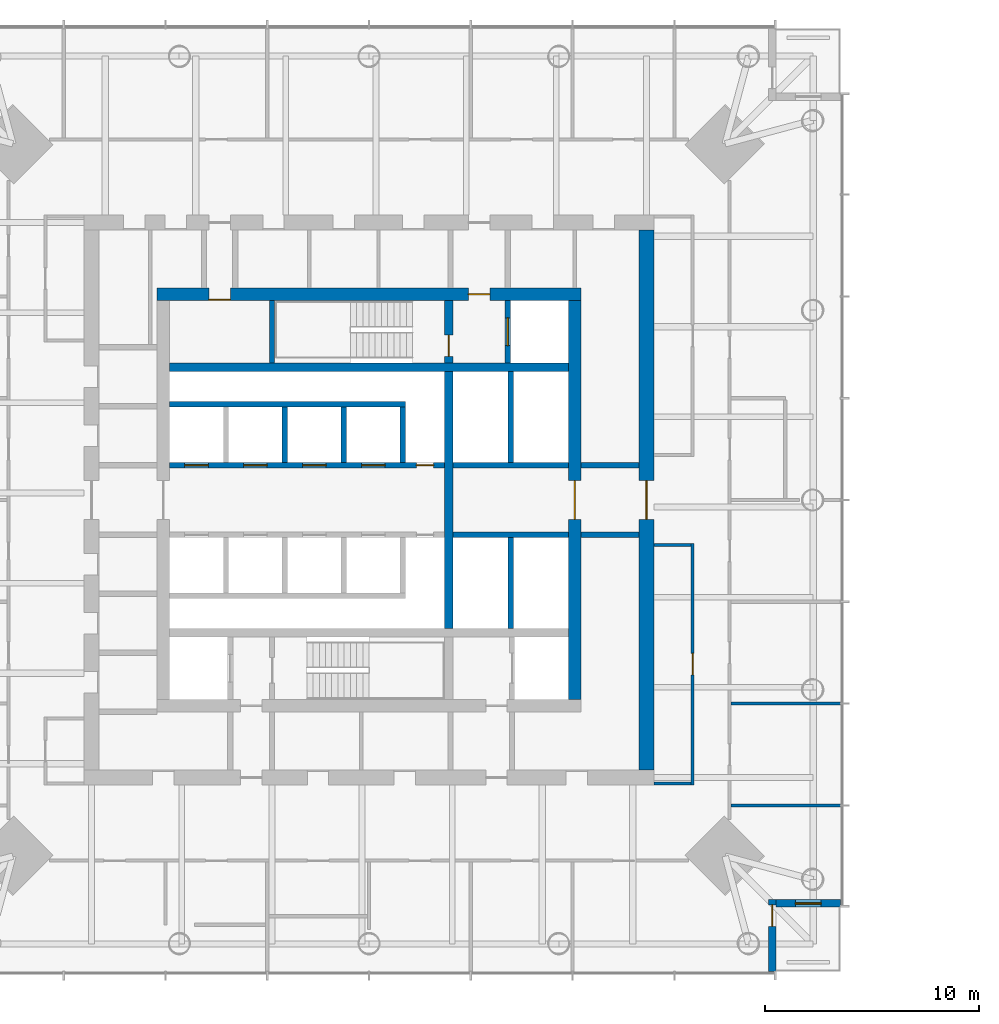
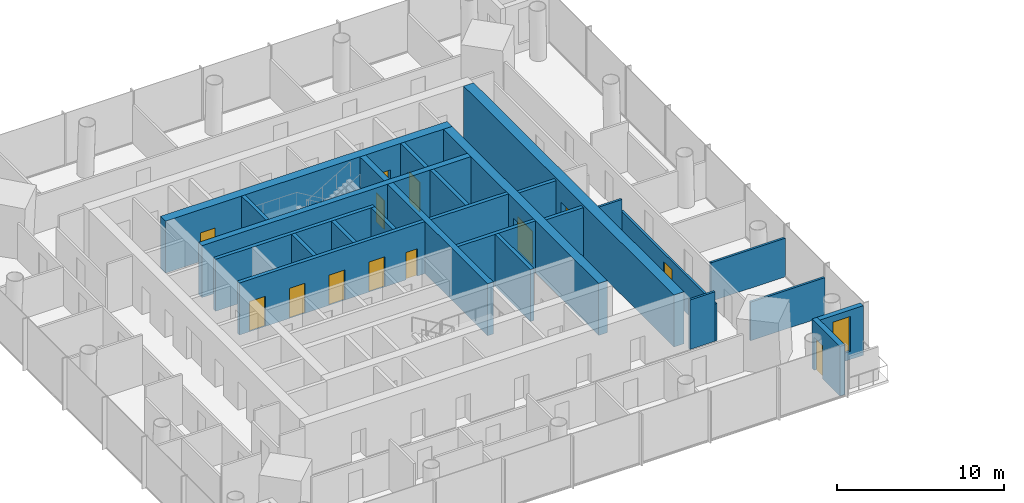
# One storey, part 10 of 18: 26 walls, 13 doors, 1 window, 14 openings.
"""IFC4 building model written with IfcOpenShell, lengths in metres."""

from ifc_helpers import new_model, si_unit, direction, frame, frame_2d, origin, place, context, subcontext, project, spatial, rectangle, extrude, material, layer, layer_set, type_object, element, fill, save


model = new_model("IFC4")

# Units and contexts
model_context = context("Model", 3, precision=1e-05, world=origin(), true_north=direction((0.0, 1.0)))
body_context = subcontext(model_context, "Body", "Model", "MODEL_VIEW")
ifc_project = project(units=[si_unit("LENGTHUNIT", "METRE"), si_unit("AREAUNIT", "SQUARE_METRE"), si_unit("VOLUMEUNIT", "CUBIC_METRE"), si_unit("PLANEANGLEUNIT", "RADIAN"), si_unit("MASSUNIT", "GRAM", prefix="KILO")], contexts=[model_context])

# Site, building, storey
site_placement = place(None, origin())
site = spatial("IfcSite", under=ifc_project, at=site_placement, CompositionType="ELEMENT")
building_placement = place(site_placement, origin())
building = spatial("IfcBuilding", under=site, at=building_placement, Name="Ostroluk Exchange", CompositionType="ELEMENT")
storey_placement = place(building_placement, frame((0.0, 0.0, 123.60009765625)))
storey = spatial("IfcBuildingStorey", under=building, at=storey_placement, Name="L31", CompositionType="ELEMENT", Elevation=123.60009765625)

# Walls
ifc_material_1 = material(Name="Concrete blockwork", Category="masonry")
ifc_layer_1 = layer(ifc_material_1, 0.25)
ifc_layer_set_1 = layer_set([ifc_layer_1], Name="Blockwork stair enclosure wall 250")
wall_type_1 = type_object("IfcWallType", Name="Blockwork stair enclosure wall 250", PredefinedType="SOLIDWALL", material=ifc_layer_set_1)
for number, where, z_axis, x_axis, name in (
    (1, (54.89990234375, 44.375, 0.0), (0.0, 0.0, 1.0), (1.0, 0.0, 0.0), "Lift lobby enclosure wall"),
    (2, (54.89990234375, 47.625, 0.0), (0.0, 0.0, 1.0), (1.0, 0.0, 0.0), "Lift lobby enclosure wall"),
):
    element("IfcWall", number, at=place(storey_placement, frame(where, z_axis=z_axis, x_axis=x_axis)), inside=storey, type_object=wall_type_1, Name=name, PredefinedType="SOLIDWALL", context=body_context, shape_type="SweptSolid", body=[
        extrude(rectangle(XDim=2.7001953125, YDim=0.25, at=frame_2d((1.35009765625, 0.0))), origin(), (0.0, 0.0, 1.0), 3.619873046875),
    ])
ifc_material_2 = material(Name="Concrete C50/60", Category="concrete")
ifc_layer_2 = layer(ifc_material_2, 0.39990234375)
ifc_layer_set_2 = layer_set([ifc_layer_2], Name="Core cross wall 400 C50/60")
wall_type_2 = type_object("IfcWallType", Name="Core cross wall 400 C50/60", PredefinedType="SHEAR", material=ifc_layer_set_2)
wall_1_placement = place(storey_placement, frame((35.699951171875, 52.199951171875, 0.0), z_axis=(0.0, 0.0, 1.0), x_axis=(1.0, 0.0, 0.0)))
element("IfcWall", 3, at=wall_1_placement, inside=storey, type_object=wall_type_2, Name="T1 core wall XN", PredefinedType="SHEAR", context=body_context, shape_type="SweptSolid", body=[
    extrude(rectangle(XDim=18.60009765625, YDim=0.39990234375, at=frame_2d((9.300048828125, 0.0))), origin(), (0.0, 0.0, 1.0), 3.7998046875),
])
wall_2_placement = place(storey_placement, frame((48.72998046875, 40.0, 0.0), z_axis=(0.0, 0.0, 1.0), x_axis=(0.0, 1.0, 0.0)))
element("IfcWall", 4, at=wall_2_placement, inside=storey, type_object=wall_type_2, Name="T1 core wall YE2", PredefinedType="SHEAR", context=body_context, shape_type="SweptSolid", body=[
    extrude(rectangle(XDim=12.0, YDim=0.39990234375, at=frame_2d((6.0, 0.0))), origin(), (0.0, 0.0, 1.0), 3.7998046875),
])

# Wall, opening, door
wall_3_placement = place(storey_placement, frame((48.72998046875, 52.39990234375, 0.0), z_axis=(0.0, 0.0, 1.0), x_axis=(0.0, 1.0, 0.0)))
wall_3 = element("IfcWall", 5, at=wall_3_placement, inside=storey, type_object=wall_type_2, Name="T1 core wall YE3", PredefinedType="SHEAR", context=body_context, shape_type="SweptSolid", body=[
    extrude(rectangle(XDim=2.900146484375, YDim=0.39990234375, at=frame_2d((1.4501953125, 0.0))), origin(), (0.0, 0.0, 1.0), 3.7998046875),
])
opening_1_placement = place(wall_3_placement, frame((0.300048828125, 0.0, 0.0)))
opening_1 = element("IfcOpeningElement", 6, at=opening_1_placement, cuts=wall_3, Name="Opening FD60", PredefinedType="OPENING", context=body_context, shape_type="SweptSolid", body=[
    extrude(rectangle(XDim=1.0, YDim=2.10009765625, at=frame_2d((0.5, 1.050048828125))), frame((0.0, 0.2099609375, 0.0), z_axis=(0.0, -1.0, 0.0), x_axis=(1.0, 0.0, 0.0)), (0.0, 0.0, 1.0), 0.419921875),
])
ifc_material_3 = material(Name="Steel", Category="steel")
door_type_1 = type_object("IfcDoorType", Name="Fire door EI 60 1000 x 2100", OperationType="SINGLE_SWING_LEFT", PredefinedType="DOOR", material=ifc_material_3)
door_1_placement = place(opening_1_placement, origin())
door_1 = element("IfcDoor", 7, at=door_1_placement, inside=storey, type_object=door_type_1, Name="Stair T1-S2 door", OperationType="SINGLE_SWING_LEFT", OverallHeight=2.10009765625, OverallWidth=1.0, PredefinedType="DOOR", context=body_context, shape_type="SweptSolid", body=[
    extrude(rectangle(XDim=1.0, YDim=2.10009765625, at=frame_2d((0.5, 1.050048828125))), frame((0.0, 0.02490234375, 0.0), z_axis=(0.0, -1.0, 0.0), x_axis=(1.0, 0.0, 0.0)), (0.0, 0.0, 1.0), 0.050048828125),
])
fill(opening_1, door_1)

# Wall
ifc_material_4 = material(Name="Concrete C40/50", Category="concrete")
ifc_layer_3 = layer(ifc_material_4, 0.25)
ifc_layer_set_3 = layer_set([ifc_layer_3], Name="Core shaft wall 250")
wall_type_3 = type_object("IfcWallType", Name="Core shaft wall 250", PredefinedType="SHEAR", material=ifc_layer_set_3)
wall_4_placement = place(storey_placement, frame((40.47509765625, 52.39990234375, 0.0), z_axis=(0.0, 0.0, 1.0), x_axis=(0.0, 1.0, 0.0)))
element("IfcWall", 8, at=wall_4_placement, inside=storey, type_object=wall_type_3, Name="Stair shaft wall", PredefinedType="SHEAR", context=body_context, shape_type="SweptSolid", body=[
    extrude(rectangle(XDim=2.900146484375, YDim=0.25, at=frame_2d((1.4501953125, 0.0))), origin(), (0.0, 0.0, 1.0), 3.7998046875),
])

# Wall, opening, door
wall_5_placement = place(storey_placement, frame((51.47509765625, 52.39990234375, 0.0), z_axis=(0.0, 0.0, 1.0), x_axis=(0.0, 1.0, 0.0)))
wall_5 = element("IfcWall", 9, at=wall_5_placement, inside=storey, type_object=wall_type_3, Name="Firefighting lift shaft wall", PredefinedType="SHEAR", context=body_context, shape_type="SweptSolid", body=[
    extrude(rectangle(XDim=2.900146484375, YDim=0.25, at=frame_2d((1.4501953125, 0.0))), origin(), (0.0, 0.0, 1.0), 3.7998046875),
])
opening_2_placement = place(wall_5_placement, frame((0.800048828125, 0.0, 0.0)))
opening_2 = element("IfcOpeningElement", 10, at=opening_2_placement, cuts=wall_5, Name="Opening LD2", PredefinedType="OPENING", context=body_context, shape_type="SweptSolid", body=[
    extrude(rectangle(XDim=1.300048828125, YDim=2.199951171875, at=frame_2d((0.64990234375, 1.10009765625))), frame((0.0, 0.135009765625, 0.0), z_axis=(0.0, -1.0, 0.0), x_axis=(1.0, 0.0, 0.0)), (0.0, 0.0, 1.0), 0.27001953125),
])
ifc_material_5 = material(Name="Stainless steel", Category="steel")
door_type_2 = type_object("IfcDoorType", Name="Lift landing door E 60 1300 x 2200", OperationType="DOUBLE_DOOR_SLIDING", PredefinedType="DOOR", material=ifc_material_5)
door_2_placement = place(opening_2_placement, origin())
door_2 = element("IfcDoor", 11, at=door_2_placement, inside=storey, type_object=door_type_2, Name="Lift FL2 landing door", OperationType="DOUBLE_DOOR_SLIDING", OverallHeight=2.199951171875, OverallWidth=1.300048828125, PredefinedType="DOOR", context=body_context, shape_type="SweptSolid", body=[
    extrude(rectangle(XDim=1.300048828125, YDim=2.199951171875, at=frame_2d((0.64990234375, 1.10009765625))), frame((0.0, 0.02490234375, 0.0), z_axis=(0.0, -1.0, 0.0), x_axis=(1.0, 0.0, 0.0)), (0.0, 0.0, 1.0), 0.050048828125),
])
fill(opening_2, door_2)

# Walls
for number, where, z_axis, x_axis, name in (
    (12, (41.074951171875, 47.75, 0.0), (0.0, 0.0, 1.0), (0.0, 1.0, 0.0), "Lift shaft wall"),
    (13, (43.824951171875, 47.75, 0.0), (0.0, 0.0, 1.0), (0.0, 1.0, 0.0), "Lift shaft wall"),
    (14, (46.574951171875, 47.75, 0.0), (0.0, 0.0, 1.0), (0.0, 1.0, 0.0), "Lift shaft wall"),
):
    element("IfcWall", number, at=place(storey_placement, frame(where, z_axis=z_axis, x_axis=x_axis)), inside=storey, type_object=wall_type_3, Name=name, PredefinedType="SHEAR", context=body_context, shape_type="SweptSolid", body=[
        extrude(rectangle(XDim=2.60009765625, YDim=0.25, at=frame_2d((1.300048828125, 0.0))), origin(), (0.0, 0.0, 1.0), 3.7998046875),
    ])
wall_6_placement = place(storey_placement, frame((35.699951171875, 50.47509765625, 0.0), z_axis=(0.0, 0.0, 1.0), x_axis=(1.0, 0.0, 0.0)))
element("IfcWall", 15, at=wall_6_placement, inside=storey, type_object=wall_type_3, Name="Lift shaft wall", PredefinedType="SHEAR", context=body_context, shape_type="SweptSolid", body=[
    extrude(rectangle(XDim=11.0, YDim=0.25, at=frame_2d((5.5, 0.0))), origin(), (0.0, 0.0, 1.0), 3.7998046875),
])

# Wall, openings, doors
wall_7_placement = place(storey_placement, frame((35.699951171875, 47.625, 0.0), z_axis=(0.0, 0.0, 1.0), x_axis=(1.0, 0.0, 0.0)))
wall_7 = element("IfcWall", 16, at=wall_7_placement, inside=storey, type_object=wall_type_3, Name="Lift shaft front wall", PredefinedType="SHEAR", context=body_context, shape_type="SweptSolid", body=[
    extrude(rectangle(XDim=12.830078125, YDim=0.25, at=frame_2d((6.4150390625, 0.0))), origin(), (0.0, 0.0, 1.0), 3.7998046875),
])
opening_3_placement = place(wall_7_placement, frame((0.699951171875, 0.0, 0.0)))
opening_3 = element("IfcOpeningElement", 17, at=opening_3_placement, cuts=wall_7, Name="Opening LD", PredefinedType="OPENING", context=body_context, shape_type="SweptSolid", body=[
    extrude(rectangle(XDim=1.10009765625, YDim=2.199951171875, at=frame_2d((0.550048828125, 1.10009765625))), frame((0.0, 0.135009765625, 0.0), z_axis=(0.0, -1.0, 0.0), x_axis=(1.0, 0.0, 0.0)), (0.0, 0.0, 1.0), 0.27001953125),
])
opening_4_placement = place(wall_7_placement, frame((3.449951171875, 0.0, 0.0)))
opening_4 = element("IfcOpeningElement", 18, at=opening_4_placement, cuts=wall_7, Name="Opening LD", PredefinedType="OPENING", context=body_context, shape_type="SweptSolid", body=[
    extrude(rectangle(XDim=1.10009765625, YDim=2.199951171875, at=frame_2d((0.550048828125, 1.10009765625))), frame((0.0, 0.135009765625, 0.0), z_axis=(0.0, -1.0, 0.0), x_axis=(1.0, 0.0, 0.0)), (0.0, 0.0, 1.0), 0.27001953125),
])
opening_5_placement = place(wall_7_placement, frame((6.199951171875, 0.0, 0.0)))
opening_5 = element("IfcOpeningElement", 19, at=opening_5_placement, cuts=wall_7, Name="Opening LD", PredefinedType="OPENING", context=body_context, shape_type="SweptSolid", body=[
    extrude(rectangle(XDim=1.10009765625, YDim=2.199951171875, at=frame_2d((0.550048828125, 1.10009765625))), frame((0.0, 0.135009765625, 0.0), z_axis=(0.0, -1.0, 0.0), x_axis=(1.0, 0.0, 0.0)), (0.0, 0.0, 1.0), 0.27001953125),
])
opening_6_placement = place(wall_7_placement, frame((8.949951171875, 0.0, 0.0)))
opening_6 = element("IfcOpeningElement", 20, at=opening_6_placement, cuts=wall_7, Name="Opening LD", PredefinedType="OPENING", context=body_context, shape_type="SweptSolid", body=[
    extrude(rectangle(XDim=1.10009765625, YDim=2.199951171875, at=frame_2d((0.550048828125, 1.10009765625))), frame((0.0, 0.135009765625, 0.0), z_axis=(0.0, -1.0, 0.0), x_axis=(1.0, 0.0, 0.0)), (0.0, 0.0, 1.0), 0.27001953125),
])
opening_7_placement = place(wall_7_placement, frame((11.514892578125, 0.0, 0.0)))
opening_7 = element("IfcOpeningElement", 21, at=opening_7_placement, cuts=wall_7, Name="Opening RD60", PredefinedType="OPENING", context=body_context, shape_type="SweptSolid", body=[
    extrude(rectangle(XDim=0.800048828125, YDim=2.0, at=frame_2d((0.39990234375, 1.0))), frame((0.0, 0.135009765625, 0.0), z_axis=(0.0, -1.0, 0.0), x_axis=(1.0, 0.0, 0.0)), (0.0, 0.0, 1.0), 0.27001953125),
])
ifc_material_6 = material(Name="Stainless steel", Category="steel")
door_type_3 = type_object("IfcDoorType", Name="Lift landing door E 60 1100 x 2200", OperationType="DOUBLE_DOOR_SLIDING", PredefinedType="DOOR", material=ifc_material_6)
door_3_placement = place(opening_3_placement, origin())
door_3 = element("IfcDoor", 22, at=door_3_placement, inside=storey, type_object=door_type_3, Name="Lift PL-M1 landing door", OperationType="DOUBLE_DOOR_SLIDING", OverallHeight=2.199951171875, OverallWidth=1.10009765625, PredefinedType="DOOR", context=body_context, shape_type="SweptSolid", body=[
    extrude(rectangle(XDim=1.10009765625, YDim=2.199951171875, at=frame_2d((0.550048828125, 1.10009765625))), frame((0.0, 0.02490234375, 0.0), z_axis=(0.0, -1.0, 0.0), x_axis=(1.0, 0.0, 0.0)), (0.0, 0.0, 1.0), 0.050048828125),
])
fill(opening_3, door_3)
door_4_placement = place(opening_4_placement, origin())
door_4 = element("IfcDoor", 23, at=door_4_placement, inside=storey, type_object=door_type_3, Name="Lift PL-M2 landing door", OperationType="DOUBLE_DOOR_SLIDING", OverallHeight=2.199951171875, OverallWidth=1.10009765625, PredefinedType="DOOR", context=body_context, shape_type="SweptSolid", body=[
    extrude(rectangle(XDim=1.10009765625, YDim=2.199951171875, at=frame_2d((0.550048828125, 1.10009765625))), frame((0.0, 0.02490234375, 0.0), z_axis=(0.0, -1.0, 0.0), x_axis=(1.0, 0.0, 0.0)), (0.0, 0.0, 1.0), 0.050048828125),
])
fill(opening_4, door_4)
door_5_placement = place(opening_5_placement, origin())
door_5 = element("IfcDoor", 24, at=door_5_placement, inside=storey, type_object=door_type_3, Name="Lift PL-M3 landing door", OperationType="DOUBLE_DOOR_SLIDING", OverallHeight=2.199951171875, OverallWidth=1.10009765625, PredefinedType="DOOR", context=body_context, shape_type="SweptSolid", body=[
    extrude(rectangle(XDim=1.10009765625, YDim=2.199951171875, at=frame_2d((0.550048828125, 1.10009765625))), frame((0.0, 0.02490234375, 0.0), z_axis=(0.0, -1.0, 0.0), x_axis=(1.0, 0.0, 0.0)), (0.0, 0.0, 1.0), 0.050048828125),
])
fill(opening_5, door_5)
door_6_placement = place(opening_6_placement, origin())
door_6 = element("IfcDoor", 25, at=door_6_placement, inside=storey, type_object=door_type_3, Name="Lift PL-M4 landing door", OperationType="DOUBLE_DOOR_SLIDING", OverallHeight=2.199951171875, OverallWidth=1.10009765625, PredefinedType="DOOR", context=body_context, shape_type="SweptSolid", body=[
    extrude(rectangle(XDim=1.10009765625, YDim=2.199951171875, at=frame_2d((0.550048828125, 1.10009765625))), frame((0.0, 0.02490234375, 0.0), z_axis=(0.0, -1.0, 0.0), x_axis=(1.0, 0.0, 0.0)), (0.0, 0.0, 1.0), 0.050048828125),
])
fill(opening_6, door_6)
ifc_material_7 = material(Name="Steel", Category="steel")
door_type_4 = type_object("IfcDoorType", Name="Riser access door EI 60 800 x 2000", OperationType="SINGLE_SWING_LEFT", PredefinedType="DOOR", material=ifc_material_7)
door_7_placement = place(opening_7_placement, origin())
door_7 = element("IfcDoor", 26, at=door_7_placement, inside=storey, type_object=door_type_4, Name="Riser access door", OperationType="SINGLE_SWING_RIGHT", OverallHeight=2.0, OverallWidth=0.800048828125, PredefinedType="DOOR", context=body_context, shape_type="SweptSolid", body=[
    extrude(rectangle(XDim=0.800048828125, YDim=2.0, at=frame_2d((0.39990234375, 1.0))), frame((0.0, 0.02490234375, 0.0), z_axis=(0.0, -1.0, 0.0), x_axis=(1.0, 0.0, 0.0)), (0.0, 0.0, 1.0), 0.050048828125),
])
fill(opening_7, door_7)

# Walls
wall_8_placement = place(storey_placement, frame((51.614990234375, 47.75, 0.0), z_axis=(0.0, 0.0, 1.0), x_axis=(0.0, 1.0, 0.0)))
element("IfcWall", 27, at=wall_8_placement, inside=storey, type_object=wall_type_3, Name="Lift shaft wall", PredefinedType="SHEAR", context=body_context, shape_type="SweptSolid", body=[
    extrude(rectangle(XDim=4.25, YDim=0.25, at=frame_2d((2.125, 0.0))), origin(), (0.0, 0.0, 1.0), 3.7998046875),
])
wall_9_placement = place(storey_placement, frame((48.929931640625, 47.625, 0.0), z_axis=(0.0, 0.0, 1.0), x_axis=(1.0, 0.0, 0.0)))
element("IfcWall", 28, at=wall_9_placement, inside=storey, type_object=wall_type_3, Name="Lift shaft front wall", PredefinedType="SHEAR", context=body_context, shape_type="SweptSolid", body=[
    extrude(rectangle(XDim=5.3701171875, YDim=0.25, at=frame_2d((2.68505859375, 0.0))), origin(), (0.0, 0.0, 1.0), 3.7998046875),
])
wall_10_placement = place(storey_placement, frame((51.614990234375, 44.25, 0.0), z_axis=(0.0, 0.0, 1.0), x_axis=(0.0, -1.0, 0.0)))
element("IfcWall", 29, at=wall_10_placement, inside=storey, type_object=wall_type_3, Name="Lift shaft wall", PredefinedType="SHEAR", context=body_context, shape_type="SweptSolid", body=[
    extrude(rectangle(XDim=4.25, YDim=0.25, at=frame_2d((2.125, 0.0))), origin(), (0.0, 0.0, 1.0), 3.7998046875),
])
wall_11_placement = place(storey_placement, frame((48.929931640625, 44.375, 0.0), z_axis=(0.0, 0.0, 1.0), x_axis=(1.0, 0.0, 0.0)))
element("IfcWall", 30, at=wall_11_placement, inside=storey, type_object=wall_type_3, Name="Lift shaft front wall", PredefinedType="SHEAR", context=body_context, shape_type="SweptSolid", body=[
    extrude(rectangle(XDim=5.3701171875, YDim=0.25, at=frame_2d((2.68505859375, 0.0))), origin(), (0.0, 0.0, 1.0), 3.7998046875),
])

# Wall, openings, doors
ifc_material_8 = material(Name="Concrete C50/60", Category="concrete")
ifc_layer_4 = layer(ifc_material_8, 0.60009765625)
ifc_layer_set_4 = layer_set([ifc_layer_4], Name="Core wall 600 C50/60")
wall_type_4 = type_object("IfcWallType", Name="Core wall 600 C50/60", PredefinedType="SHEAR", material=ifc_layer_set_4)
wall_12_placement = place(storey_placement, frame((35.10009765625, 55.60009765625, 0.0), z_axis=(0.0, 0.0, 1.0), x_axis=(1.0, 0.0, 0.0)))
wall_12 = element("IfcWall", 31, at=wall_12_placement, inside=storey, type_object=wall_type_4, Name="T1 core wall N", PredefinedType="SHEAR", context=body_context, shape_type="SweptSolid", body=[
    extrude(rectangle(XDim=19.7998046875, YDim=0.60009765625, at=frame_2d((9.89990234375, 0.0))), origin(), (0.0, 0.0, 1.0), 3.7998046875),
])
opening_8_placement = place(wall_12_placement, frame((14.5400390625, 0.0, 0.0)))
opening_8 = element("IfcOpeningElement", 32, at=opening_8_placement, cuts=wall_12, Name="Opening FD60", PredefinedType="OPENING", context=body_context, shape_type="SweptSolid", body=[
    extrude(rectangle(XDim=1.0, YDim=2.10009765625, at=frame_2d((0.5, 1.050048828125))), frame((0.0, 0.31005859375, 0.0), z_axis=(0.0, -1.0, 0.0), x_axis=(1.0, 0.0, 0.0)), (0.0, 0.0, 1.0), 0.6201171875),
])
opening_9_placement = place(wall_12_placement, frame((2.425048828125, 0.0, 0.0)))
opening_9 = element("IfcOpeningElement", 33, at=opening_9_placement, cuts=wall_12, Name="Opening FD60", PredefinedType="OPENING", context=body_context, shape_type="SweptSolid", body=[
    extrude(rectangle(XDim=1.0, YDim=2.10009765625, at=frame_2d((0.5, 1.050048828125))), frame((0.0, 0.31005859375, 0.0), z_axis=(0.0, -1.0, 0.0), x_axis=(1.0, 0.0, 0.0)), (0.0, 0.0, 1.0), 0.6201171875),
])
door_8_placement = place(opening_8_placement, origin())
door_8 = element("IfcDoor", 34, at=door_8_placement, inside=storey, type_object=door_type_1, Name="Firefighting lobby door", OperationType="SINGLE_SWING_RIGHT", OverallHeight=2.10009765625, OverallWidth=1.0, PredefinedType="DOOR", context=body_context, shape_type="SweptSolid", body=[
    extrude(rectangle(XDim=1.0, YDim=2.10009765625, at=frame_2d((0.5, 1.050048828125))), frame((0.0, 0.02490234375, 0.0), z_axis=(0.0, -1.0, 0.0), x_axis=(1.0, 0.0, 0.0)), (0.0, 0.0, 1.0), 0.050048828125),
])
fill(opening_8, door_8)
door_9_placement = place(opening_9_placement, origin())
door_9 = element("IfcDoor", 35, at=door_9_placement, inside=storey, type_object=door_type_1, Name="Tea point door", OperationType="SINGLE_SWING_LEFT", OverallHeight=2.10009765625, OverallWidth=1.0, PredefinedType="DOOR", context=body_context, shape_type="SweptSolid", body=[
    extrude(rectangle(XDim=1.0, YDim=2.10009765625, at=frame_2d((0.5, 1.050048828125))), frame((0.0, -0.23974609375, 0.0), z_axis=(0.0, -1.0, 0.0), x_axis=(1.0, 0.0, 0.0)), (0.0, 0.0, 1.0), 0.050048828125),
])
fill(opening_9, door_9)

# Wall, opening, door
wall_13_placement = place(storey_placement, frame((54.60009765625, 36.699951171875, 0.0), z_axis=(0.0, 0.0, 1.0), x_axis=(0.0, 1.0, 0.0)))
wall_13 = element("IfcWall", 36, at=wall_13_placement, inside=storey, type_object=wall_type_4, Name="T1 core wall E", PredefinedType="SHEAR", context=body_context, shape_type="SweptSolid", body=[
    extrude(rectangle(XDim=18.60009765625, YDim=0.60009765625, at=frame_2d((9.300048828125, 0.0))), origin(), (0.0, 0.0, 1.0), 3.7998046875),
])
opening_10_placement = place(wall_13_placement, frame((8.39990234375, 0.0, 0.0)))
opening_10 = element("IfcOpeningElement", 37, at=opening_10_placement, cuts=wall_13, Name="Opening FD30D", PredefinedType="OPENING", context=body_context, shape_type="SweptSolid", body=[
    extrude(rectangle(XDim=1.800048828125, YDim=2.39990234375, at=frame_2d((0.89990234375, 1.199951171875))), frame((0.0, 0.31005859375, 0.0), z_axis=(0.0, -1.0, 0.0), x_axis=(1.0, 0.0, 0.0)), (0.0, 0.0, 1.0), 0.6201171875),
])
ifc_material_9 = material(Name="Timber", Category="wood")
door_type_5 = type_object("IfcDoorType", Name="Lobby double door EI 30 1800 x 2400", OperationType="DOUBLE_DOOR_SINGLE_SWING", PredefinedType="DOOR", material=ifc_material_9)
door_10_placement = place(opening_10_placement, origin())
door_10 = element("IfcDoor", 38, at=door_10_placement, inside=storey, type_object=door_type_5, Name="Lift lobby doors", OperationType="DOUBLE_DOOR_SINGLE_SWING", OverallHeight=2.39990234375, OverallWidth=1.800048828125, PredefinedType="DOOR", context=body_context, shape_type="SweptSolid", body=[
    extrude(rectangle(XDim=1.800048828125, YDim=2.39990234375, at=frame_2d((0.89990234375, 1.199951171875))), frame((0.0, 0.02490234375, 0.0), z_axis=(0.0, -1.0, 0.0), x_axis=(1.0, 0.0, 0.0)), (0.0, 0.0, 1.0), 0.050048828125),
])
fill(opening_10, door_10)

ifc_material_10 = material(Name="Concrete C50/60", Category="concrete")
ifc_layer_5 = layer(ifc_material_10, 0.699951171875)
ifc_layer_set_5 = layer_set([ifc_layer_5], Name="Core wall 700 C50/60")
wall_type_5 = type_object("IfcWallType", Name="Core wall 700 C50/60", PredefinedType="SHEAR", material=ifc_layer_set_5)
wall_14_placement = place(storey_placement, frame((57.949951171875, 33.39990234375, 0.0), z_axis=(0.0, 0.0, 1.0), x_axis=(0.0, 1.0, 0.0)))
wall_14 = element("IfcWall", 39, at=wall_14_placement, inside=storey, type_object=wall_type_5, Name="T1 core wall RE", PredefinedType="SHEAR", context=body_context, shape_type="SweptSolid", body=[
    extrude(rectangle(XDim=25.2001953125, YDim=0.699951171875, at=frame_2d((12.60009765625, 0.0))), origin(), (0.0, 0.0, 1.0), 3.7998046875),
])
opening_11_placement = place(wall_14_placement, frame((11.699951171875, 0.0, 0.0)))
opening_11 = element("IfcOpeningElement", 40, at=opening_11_placement, cuts=wall_14, Name="Opening FD30D", PredefinedType="OPENING", context=body_context, shape_type="SweptSolid", body=[
    extrude(rectangle(XDim=1.800048828125, YDim=2.39990234375, at=frame_2d((0.89990234375, 1.199951171875))), frame((0.0, 0.35986328125, 0.0), z_axis=(0.0, -1.0, 0.0), x_axis=(1.0, 0.0, 0.0)), (0.0, 0.0, 1.0), 0.719970703125),
])
door_11_placement = place(opening_11_placement, origin())
door_11 = element("IfcDoor", 41, at=door_11_placement, inside=storey, type_object=door_type_5, Name="Lift lobby doors", OperationType="DOUBLE_DOOR_SINGLE_SWING", OverallHeight=2.39990234375, OverallWidth=1.800048828125, PredefinedType="DOOR", context=body_context, shape_type="SweptSolid", body=[
    extrude(rectangle(XDim=1.800048828125, YDim=2.39990234375, at=frame_2d((0.89990234375, 1.199951171875))), frame((0.0, 0.02490234375, 0.0), z_axis=(0.0, -1.0, 0.0), x_axis=(1.0, 0.0, 0.0)), (0.0, 0.0, 1.0), 0.050048828125),
])
fill(opening_11, door_11)

ifc_material_11 = material(Name="Limestone", Category="masonry")
ifc_layer_6 = layer(ifc_material_11, 0.35009765625)
ifc_layer_set_6 = layer_set([ifc_layer_6], Name="Limestone facade wall 350")
wall_type_6 = type_object("IfcWallType", Name="Limestone facade wall 350", PredefinedType="SOLIDWALL", material=ifc_layer_set_6)
wall_15_placement = place(storey_placement, frame((63.824951171875, 24.0, 0.0), z_axis=(0.0, 0.0, 1.0), x_axis=(0.0, 1.0, 0.0)))
wall_15 = element("IfcWall", 42, at=wall_15_placement, inside=storey, type_object=wall_type_6, Name="Office tower SE corner wall L31 a", PredefinedType="SOLIDWALL", context=body_context, shape_type="SweptSolid", body=[
    extrude(rectangle(XDim=3.35009765625, YDim=0.35009765625, at=frame_2d((1.675048828125, 0.0))), origin(), (0.0, 0.0, 1.0), 3.619873046875),
])
opening_12_placement = place(wall_15_placement, frame((2.10009765625, 0.0, 0.0)))
opening_12 = element("IfcOpeningElement", 43, at=opening_12_placement, cuts=wall_15, Name="Opening D-B1", PredefinedType="OPENING", context=body_context, shape_type="SweptSolid", body=[
    extrude(rectangle(XDim=1.0, YDim=2.39990234375, at=frame_2d((0.5, 1.199951171875))), frame((0.0, 0.18505859375, 0.0), z_axis=(0.0, -1.0, 0.0), x_axis=(1.0, 0.0, 0.0)), (0.0, 0.0, 1.0), 0.3701171875),
])
ifc_material_12 = material(Name="Bronze framed glazed door", Category="aluminium")
door_type_6 = type_object("IfcDoorType", Name="Balcony door 1000 x 2400", OperationType="SINGLE_SWING_LEFT", PredefinedType="DOOR", material=ifc_material_12)
door_12_placement = place(opening_12_placement, origin())
door_12 = element("IfcDoor", 44, at=door_12_placement, inside=storey, type_object=door_type_6, Name="Office tower SE balcony door L31", OperationType="SINGLE_SWING_RIGHT", OverallHeight=2.39990234375, OverallWidth=1.0, PredefinedType="DOOR", context=body_context, shape_type="SweptSolid", body=[
    extrude(rectangle(XDim=1.0, YDim=2.39990234375, at=frame_2d((0.5, 1.199951171875))), frame((0.0, 0.02490234375, 0.0), z_axis=(0.0, -1.0, 0.0), x_axis=(1.0, 0.0, 0.0)), (0.0, 0.0, 1.0), 0.050048828125),
])
fill(opening_12, door_12)

# Wall, opening, window
wall_16_placement = place(storey_placement, frame((64.0, 27.175048828125, 0.0), z_axis=(0.0, 0.0, 1.0), x_axis=(1.0, 0.0, 0.0)))
wall_16 = element("IfcWall", 45, at=wall_16_placement, inside=storey, type_object=wall_type_6, Name="Office tower SE corner wall L31 b", PredefinedType="SOLIDWALL", context=body_context, shape_type="SweptSolid", body=[
    extrude(rectangle(XDim=3.0, YDim=0.35009765625, at=frame_2d((1.5, 0.0))), origin(), (0.0, 0.0, 1.0), 3.619873046875),
])
opening_13_placement = place(wall_16_placement, frame((0.89990234375, 0.0, 0.60009765625)))
opening_13 = element("IfcOpeningElement", 46, at=opening_13_placement, cuts=wall_16, Name="Opening WN-L1", PredefinedType="OPENING", context=body_context, shape_type="SweptSolid", body=[
    extrude(rectangle(XDim=1.199951171875, YDim=2.550048828125, at=frame_2d((0.60009765625, 1.27490234375))), frame((0.0, 0.18505859375, 0.0), z_axis=(0.0, -1.0, 0.0), x_axis=(1.0, 0.0, 0.0)), (0.0, 0.0, 1.0), 0.3701171875),
])
ifc_material_13 = material(Name="Laminated clear glass", Category="glass")
window_type = type_object("IfcWindowType", Name="Lancet window 1200 x 2550", PartitioningType="SINGLE_PANEL", PredefinedType="WINDOW", material=ifc_material_13)
window_placement = place(opening_13_placement, origin())
window = element("IfcWindow", 47, at=window_placement, inside=storey, type_object=window_type, Name="Office tower SE lancet window L31", OverallHeight=2.550048828125, OverallWidth=1.199951171875, PartitioningType="SINGLE_PANEL", PredefinedType="WINDOW", context=body_context, shape_type="SweptSolid", body=[
    extrude(rectangle(XDim=1.199951171875, YDim=2.550048828125, at=frame_2d((0.60009765625, 1.27490234375))), frame((0.0, 0.030029296875, 0.0), z_axis=(0.0, -1.0, 0.0), x_axis=(1.0, 0.0, 0.0)), (0.0, 0.0, 1.0), 0.06005859375),
])
fill(opening_13, window)

# Wall, opening, door
ifc_material_14 = material(Name="Gypsum plasterboard partition", Category="gypsum")
ifc_layer_7 = layer(ifc_material_14, 0.14990234375)
ifc_layer_set_7 = layer_set([ifc_layer_7], Name="Plasterboard partition 150")
wall_type_7 = type_object("IfcWallType", Name="Plasterboard partition 150", PredefinedType="PARTITIONING", material=ifc_layer_set_7)
wall_17_placement = place(storey_placement, frame((60.10009765625, 32.699951171875, 0.0), z_axis=(0.0, 0.0, 1.0), x_axis=(0.0, 1.0, 0.0)))
wall_17 = element("IfcWall", 48, at=wall_17_placement, inside=storey, type_object=wall_type_7, Name="Partition", PredefinedType="PARTITIONING", context=body_context, shape_type="SweptSolid", body=[
    extrude(rectangle(XDim=11.275146484375, YDim=0.14990234375, at=frame_2d((5.6376953125, 0.0))), origin(), (0.0, 0.0, 1.0), 2.719970703125),
])
opening_14_placement = place(wall_17_placement, frame((5.137451171875, 0.0, 0.0)))
opening_14 = element("IfcOpeningElement", 49, at=opening_14_placement, cuts=wall_17, Name="Opening D-03", PredefinedType="OPENING", context=body_context, shape_type="SweptSolid", body=[
    extrude(rectangle(XDim=1.0, YDim=2.10009765625, at=frame_2d((0.5, 1.050048828125))), frame((0.0, 0.0849609375, 0.0), z_axis=(0.0, -1.0, 0.0), x_axis=(1.0, 0.0, 0.0)), (0.0, 0.0, 1.0), 0.169921875),
])
ifc_material_15 = material(Name="Timber", Category="wood")
door_type_7 = type_object("IfcDoorType", Name="Internal door 1000 x 2100", OperationType="SINGLE_SWING_LEFT", PredefinedType="DOOR", material=ifc_material_15)
door_13_placement = place(opening_14_placement, origin())
door_13 = element("IfcDoor", 50, at=door_13_placement, inside=storey, type_object=door_type_7, Name="Quiet room door", OperationType="SINGLE_SWING_RIGHT", OverallHeight=2.10009765625, OverallWidth=1.0, PredefinedType="DOOR", context=body_context, shape_type="SweptSolid", body=[
    extrude(rectangle(XDim=1.0, YDim=2.10009765625, at=frame_2d((0.5, 1.050048828125))), frame((0.0, 0.02490234375, 0.0), z_axis=(0.0, -1.0, 0.0), x_axis=(1.0, 0.0, 0.0)), (0.0, 0.0, 1.0), 0.050048828125),
])
fill(opening_14, door_13)

# Walls
for number, where, z_axis, x_axis, name in (
    (51, (58.300048828125, 32.77490234375, 0.0), (0.0, 0.0, 1.0), (1.0, 0.0, 0.0), "Partition"),
    (52, (58.300048828125, 43.89990234375, 0.0), (0.0, 0.0, 1.0), (1.0, 0.0, 0.0), "Partition"),
):
    element("IfcWall", number, at=place(storey_placement, frame(where, z_axis=z_axis, x_axis=x_axis)), inside=storey, type_object=wall_type_7, Name=name, PredefinedType="PARTITIONING", context=body_context, shape_type="SweptSolid", body=[
        extrude(rectangle(XDim=1.724853515625, YDim=0.14990234375, at=frame_2d((0.8623046875, 0.0))), origin(), (0.0, 0.0, 1.0), 3.619873046875),
    ])
for number, where, z_axis, x_axis, name in (
    (53, (61.89990234375, 31.75, 0.0), (0.0, 0.0, 1.0), (1.0, 0.0, 0.0), "Partition"),
    (54, (61.89990234375, 36.5, 0.0), (0.0, 0.0, 1.0), (1.0, 0.0, 0.0), "Partition"),
):
    element("IfcWall", number, at=place(storey_placement, frame(where, z_axis=z_axis, x_axis=x_axis)), inside=storey, type_object=wall_type_7, Name=name, PredefinedType="PARTITIONING", context=body_context, shape_type="SweptSolid", body=[
        extrude(rectangle(XDim=5.14013671875, YDim=0.14990234375, at=frame_2d((2.570068359375, 0.0))), origin(), (0.0, 0.0, 1.0), 2.81982421875),
    ])

save(model, "model.ifc")
